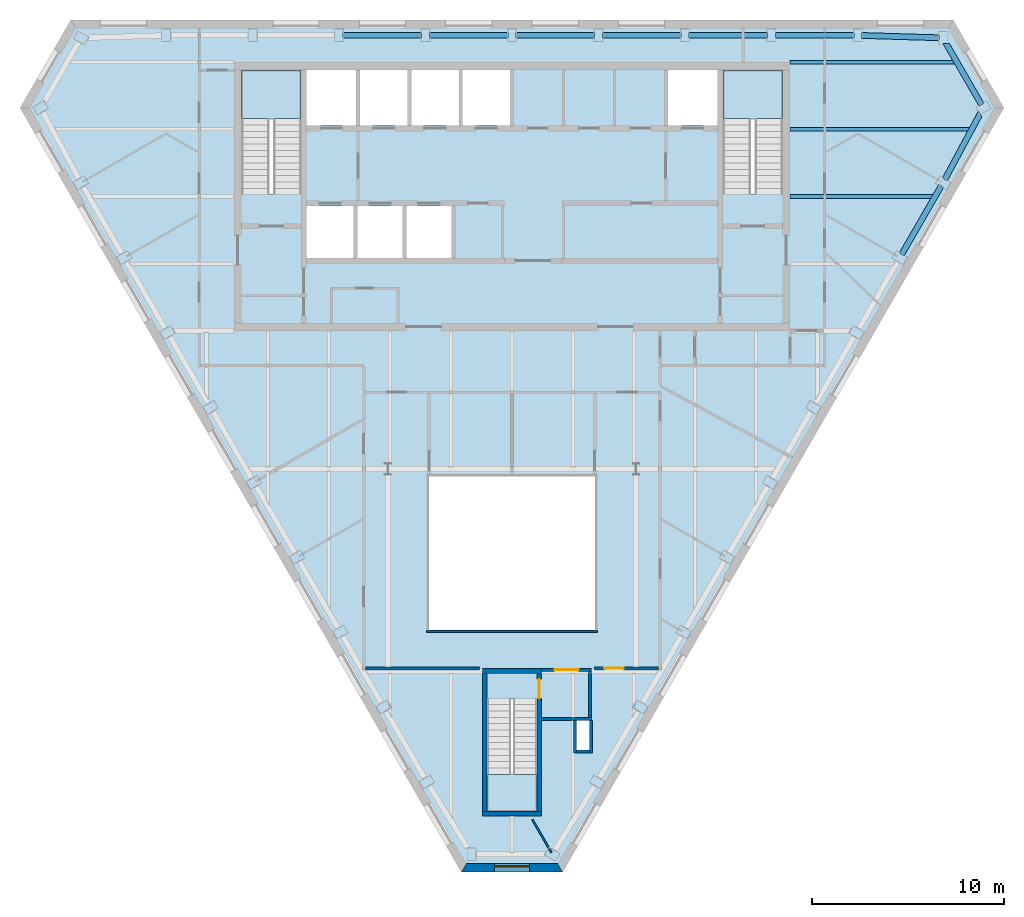
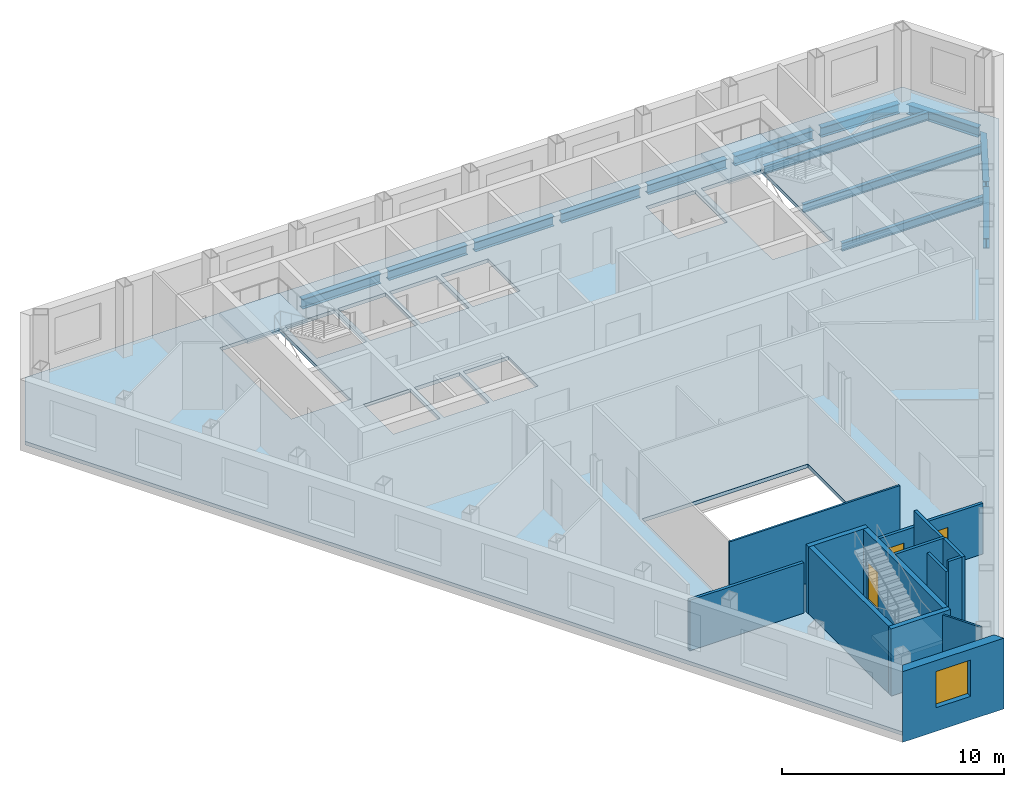
# One storey, part 3 of 10: 15 walls, 13 beams, 4 slabs, 3 doors, 1 window, 4 openings, 3 elements without a shape of their own.
"""IFC4 building model written with IfcOpenShell, lengths in metres."""

import ifcopenshell
import ifcopenshell.guid

model = None  # the IFC model being written
_history = None  # IfcOwnerHistory: only IFC2X3 demands one
_inside = {}  # id of a spatial element -> (the spatial element, [elements in it])
_under = {}  # id of a project, library or spatial element -> (it, [spatial elements below it])
_declared = {}  # id of a project -> (the project, [libraries it declares])
_typed = {}  # id of a type object -> (the type object, [elements of that type])
_made_of = {}  # id of a material, layer set ... -> (it, [elements and type objects made of it])


def new_model(schema):
    """Start an empty IFC model of exactly this schema.

    Asked for "IFC4X3", IfcOpenShell would pick the latest addendum, in which some entities
    have other attributes; the version numbers below select the first issue.
    IFC2X3 requires an IfcOwnerHistory on every rooted entity: one is made here for all.
    """
    global model, _history
    if schema == "IFC4X3":
        model = ifcopenshell.file(schema_version=(4, 3, 0, 0))
    else:
        model = ifcopenshell.file(schema=schema)
    _inside.clear()
    _under.clear()
    _declared.clear()
    _typed.clear()
    _made_of.clear()
    _history = None
    if model.schema == "IFC2X3":
        org = make("IfcOrganization", Name="unknown")
        user = make(
            "IfcPersonAndOrganization",
            ThePerson=make("IfcPerson", FamilyName="unknown"),
            TheOrganization=org,
        )
        app = make(
            "IfcApplication",
            ApplicationDeveloper=org,
            Version="unknown",
            ApplicationFullName="unknown",
            ApplicationIdentifier="unknown",
        )
        _history = make(
            "IfcOwnerHistory",
            OwningUser=user,
            OwningApplication=app,
            ChangeAction="ADDED",
            CreationDate=0,
        )
    return model


def make(cls, **values):
    """One entity of the class cls with the attributes given. An attribute that is None is left unset."""
    return model.create_entity(
        cls, **{name: value for name, value in values.items() if value is not None}
    )


def rooted(cls, **values):
    """An entity with a GlobalId (a new one), such as an element, a storey or a relation."""
    return make(cls, GlobalId=ifcopenshell.guid.new(), OwnerHistory=_history, **values)


def si_unit(unit_type, name, prefix=None):
    """IfcSIUnit, for example si_unit("LENGTHUNIT", "METRE", prefix="MILLI")."""
    return make("IfcSIUnit", UnitType=unit_type, Prefix=prefix, Name=name)


def assignment(units):
    """IfcUnitAssignment: the units of a project."""
    return None if units is None else make("IfcUnitAssignment", Units=units)


def point(xyz):
    """IfcCartesianPoint."""
    return None if xyz is None else make("IfcCartesianPoint", Coordinates=xyz)


def direction(xyz):
    """IfcDirection."""
    return None if xyz is None else make("IfcDirection", DirectionRatios=xyz)


def frame(location, z_axis=None, x_axis=None):
    """IfcAxis2Placement3D, a coordinate frame: its origin and axes. An axis left out is left unset."""
    return make(
        "IfcAxis2Placement3D",
        Location=point(location),
        Axis=direction(z_axis),
        RefDirection=direction(x_axis),
    )


def frame_2d(location, x_axis=None):
    """IfcAxis2Placement2D, a coordinate frame in the plane: its origin and x axis."""
    return make(
        "IfcAxis2Placement2D", Location=point(location), RefDirection=direction(x_axis)
    )


def origin():
    """The frame at (0, 0, 0) with its axes left unset."""
    return frame((0.0, 0.0, 0.0))


def origin_2d():
    """The frame at (0, 0) in the plane with its x axis left unset."""
    return frame_2d((0.0, 0.0))


def place(relative_to, where):
    """IfcLocalPlacement: puts the frame where relative to a parent placement (None: the world)."""
    return make(
        "IfcLocalPlacement", PlacementRelTo=relative_to, RelativePlacement=where
    )


def context(
    kind, dimensions, precision=None, world=None, true_north=None, identifier=None
):
    """IfcGeometricRepresentationContext, for example the 3D "Model" context."""
    return make(
        "IfcGeometricRepresentationContext",
        ContextIdentifier=identifier,
        ContextType=kind,
        CoordinateSpaceDimension=dimensions,
        Precision=precision,
        WorldCoordinateSystem=world,
        TrueNorth=true_north,
    )


def subcontext(parent, identifier, kind, view, scale=None):
    """IfcGeometricRepresentationSubContext, for example "Body" below "Model"."""
    return make(
        "IfcGeometricRepresentationSubContext",
        ContextIdentifier=identifier,
        ContextType=kind,
        ParentContext=parent,
        TargetScale=scale,
        TargetView=view,
    )


def project(units=None, contexts=None):
    """IfcProject with its units and contexts."""
    return rooted(
        "IfcProject",
        Name="project",
        RepresentationContexts=contexts,
        UnitsInContext=assignment(units),
    )


def spatial(cls, under=None, at=None, **own):
    """A site, building, storey or space (cls), placed at a placement, below another one or the project."""
    s = rooted(cls, ObjectPlacement=at, **own)
    if under is not None:
        _under.setdefault(under.id(), (under, []))[1].append(s)
    return s


def polyline(points):
    """IfcPolyline through the points."""
    return make("IfcPolyline", Points=[point(p) for p in points])


def profile(cls, at=None, kind="AREA", **sizes):
    """A parametric profile (cls). Its sizes go by their IFC names, for example OverallWidth=200.0."""
    return make(cls, ProfileType=kind, Position=at, **sizes)


def rectangle(**sizes):
    """IfcRectangleProfileDef."""
    return profile("IfcRectangleProfileDef", **sizes)


def i_section(**sizes):
    """IfcIShapeProfileDef."""
    return profile("IfcIShapeProfileDef", **sizes)


def outline(outer, holes=None, kind="AREA"):
    """IfcArbitraryClosedProfileDef: a profile drawn as a closed curve; with holes, ...WithVoids."""
    if holes is None:
        return make("IfcArbitraryClosedProfileDef", ProfileType=kind, OuterCurve=outer)
    return make(
        "IfcArbitraryProfileDefWithVoids",
        ProfileType=kind,
        OuterCurve=outer,
        InnerCurves=holes,
    )


def extrude(swept, where, along, depth):
    """IfcExtrudedAreaSolid: the profile swept, set in the frame where, extruded along a direction by depth."""
    return make(
        "IfcExtrudedAreaSolid",
        SweptArea=swept,
        Position=where,
        ExtrudedDirection=direction(along),
        Depth=depth,
    )


def clip(a, b, op="DIFFERENCE"):
    """IfcBooleanClippingResult: the solid a cut by the half space b."""
    return make(
        "IfcBooleanClippingResult", Operator=op, FirstOperand=a, SecondOperand=b
    )


def halfspace(plane, agree):
    """IfcHalfSpaceSolid: all space on one side of the plane z = 0 of the frame plane."""
    return make(
        "IfcHalfSpaceSolid",
        BaseSurface=make("IfcPlane", Position=plane),
        AgreementFlag=agree,
    )


def shape(context_of_items, identifier, shape_type, items):
    """IfcShapeRepresentation: the items that make up one representation, for example the "Body"."""
    return make(
        "IfcShapeRepresentation",
        ContextOfItems=context_of_items,
        RepresentationIdentifier=identifier,
        RepresentationType=shape_type,
        Items=items,
    )


def material(Name=None, Category=None):
    """IfcMaterial."""
    return make("IfcMaterial", Name=Name, Category=Category)


def layer(
    of_material, thickness, ventilated=None, Name=None, Category=None, Priority=None
):
    """IfcMaterialLayer: one layer of a wall or slab, of a material (None: an air gap)."""
    return make(
        "IfcMaterialLayer",
        Material=of_material,
        LayerThickness=thickness,
        IsVentilated=ventilated,
        Name=Name,
        Category=Category,
        Priority=Priority,
    )


def layer_set(layers, Name=None):
    """IfcMaterialLayerSet."""
    return make("IfcMaterialLayerSet", MaterialLayers=layers, LayerSetName=Name)


def material_profile(
    of_material, cross_section, Name=None, Category=None, Priority=None
):
    """IfcMaterialProfile: a cross section and its material."""
    return make(
        "IfcMaterialProfile",
        Name=Name,
        Material=of_material,
        Profile=cross_section,
        Priority=Priority,
        Category=Category,
    )


def profile_set(profiles, Name=None, composite=None):
    """IfcMaterialProfileSet."""
    return make(
        "IfcMaterialProfileSet",
        Name=Name,
        MaterialProfiles=profiles,
        CompositeProfile=composite,
    )


def made_of(thing, what):
    """Note that an element or type object is made of a material, layer set ...; save() writes the relation."""
    if what is not None:
        _made_of.setdefault(what.id(), (what, []))[1].append(thing)
    return thing


def type_object(cls, material=None, **own):
    """A type object (cls), such as IfcWallType, which elements share."""
    return made_of(rooted(cls, **own), material)


def element(
    cls,
    number,
    at=None,
    inside=None,
    cuts=None,
    type_object=None,
    material=None,
    context=None,
    identifier="Body",
    shape_type=None,
    held_by="IfcProductDefinitionShape",
    body=None,
    shapes=None,
    **own,
):
    """One element of the class cls, such as IfcWall. Its Tag is "e" and its number.

    at: its placement. inside: the storey or other place that contains it. cuts: it is an
    opening in that element (IfcRelVoidsElement). A single representation is given by context,
    identifier, shape_type and body (its items); several are given by shapes. held_by: the class
    of the entity that holds the representations. save() writes the other relations.
    """
    e = rooted(cls, Tag="e%d" % number, ObjectPlacement=at, **own)
    if body is not None:
        shapes = [shape(context, identifier, shape_type, body)]
    if shapes is not None:
        e.Representation = make(held_by, Representations=shapes)
    if inside is not None:
        _inside.setdefault(inside.id(), (inside, []))[1].append(e)
    if cuts is not None:
        rooted(
            "IfcRelVoidsElement", RelatingBuildingElement=cuts, RelatedOpeningElement=e
        )
    if type_object is not None:
        _typed.setdefault(type_object.id(), (type_object, []))[1].append(e)
    return made_of(e, material)


def fill(opening, filler):
    """IfcRelFillsElement: the door or window that sits in an opening."""
    return rooted(
        "IfcRelFillsElement",
        RelatingOpeningElement=opening,
        RelatedBuildingElement=filler,
    )


def aggregate(whole, parts):
    """IfcRelAggregates: a whole, such as a stair, and the parts it consists of."""
    return rooted("IfcRelAggregates", RelatingObject=whole, RelatedObjects=parts)


def save(model, path):
    """Write the relations noted so far, then the file.

    IfcRelAggregates (storeys below a building ...), IfcRelContainedInSpatialStructure (elements
    in a storey), IfcRelDefinesByType, IfcRelAssociatesMaterial and IfcRelDeclares: one each for
    every whole, place, type object, material and project.
    """
    for whole, parts in _under.values():
        aggregate(whole, parts)
    for where, things in _inside.values():
        rooted(
            "IfcRelContainedInSpatialStructure",
            RelatedElements=things,
            RelatingStructure=where,
        )
    for kind, things in _typed.values():
        rooted("IfcRelDefinesByType", RelatedObjects=things, RelatingType=kind)
    for what, things in _made_of.values():
        rooted("IfcRelAssociatesMaterial", RelatedObjects=things, RelatingMaterial=what)
    for by, libraries in _declared.values():
        rooted("IfcRelDeclares", RelatingContext=by, RelatedDefinitions=libraries)
    model.write(path)


model = new_model("IFC4")

# Units and contexts
model_context = context("Model", 3, precision=1e-05, world=origin(), true_north=direction((0.0, 1.0)))
body_context = subcontext(model_context, "Body", "Model", "MODEL_VIEW")
ifc_project = project(units=[si_unit("LENGTHUNIT", "METRE"), si_unit("AREAUNIT", "SQUARE_METRE"), si_unit("VOLUMEUNIT", "CUBIC_METRE"), si_unit("PLANEANGLEUNIT", "RADIAN"), si_unit("MASSUNIT", "GRAM", prefix="KILO")], contexts=[model_context])

# Site, building, storey
site_placement = place(None, origin())
site = spatial("IfcSite", under=ifc_project, at=site_placement, CompositionType="ELEMENT")
building_placement = place(site_placement, origin())
building = spatial("IfcBuilding", under=site, at=building_placement, Name="Njiva Tower", CompositionType="ELEMENT")
storey_placement = place(building_placement, frame((0.0, 0.0, 284.4)))
storey = spatial("IfcBuildingStorey", under=building, at=storey_placement, Name="L65", CompositionType="ELEMENT", Elevation=284.4)

# Beams
ifc_material_1 = material(Name="Steel S355 J2", Category="steel")
ifc_material_profile_1 = material_profile(ifc_material_1, i_section(OverallWidth=0.19, OverallDepth=0.45, WebThickness=0.0094, FlangeThickness=0.0146, at=origin_2d()), Name="IPE 450")
ifc_profile_set_1 = profile_set([ifc_material_profile_1], Name="Steel S355 J2")
beam_type_1 = type_object("IfcBeamType", Name="B37 Floor beam to the core IPE 450", PredefinedType="BEAM", material=ifc_profile_set_1)
beam_1_placement = place(storey_placement, frame((14.5, 11.0, -0.425), z_axis=(1.0, 0.0, 0.0), x_axis=(0.0, 1.0, 0.0)))
element("IfcBeam", 1, at=beam_1_placement, inside=storey, type_object=beam_type_1, Name="Floor beam to the core S21-B008", PredefinedType="BEAM", context=body_context, shape_type="Clipping", body=[
    clip(extrude(i_section(OverallWidth=0.19, OverallDepth=0.45, WebThickness=0.0094, FlangeThickness=0.0146, at=origin_2d()), origin(), (0.0, 0.0, 1.0), 7.514), halfspace(frame((-0.025, 0.0, 7.4247), z_axis=(-0.499998009787, 0.0, 0.866026552831), x_axis=(0.0, 1.0, 0.0)), False)),
])
beam_2_placement = place(storey_placement, frame((14.5, 14.5, -0.425), z_axis=(1.0, 0.0, 0.0), x_axis=(0.0, 1.0, 0.0)))
element("IfcBeam", 2, at=beam_2_placement, inside=storey, type_object=beam_type_1, Name="Floor beam to the core S21-B009", PredefinedType="BEAM", context=body_context, shape_type="Clipping", body=[
    clip(extrude(i_section(OverallWidth=0.19, OverallDepth=0.45, WebThickness=0.0094, FlangeThickness=0.0146, at=origin_2d()), origin(), (0.0, 0.0, 1.0), 9.423), halfspace(frame((-0.0237, 0.0, 9.3394), z_axis=(-0.473769423091, 0.0, 0.880648927634), x_axis=(0.0, 1.0, 0.0)), False)),
])
beam_3_placement = place(storey_placement, frame((14.5, 18.0, -0.425), z_axis=(1.0, 0.0, 0.0), x_axis=(0.0, 1.0, 0.0)))
element("IfcBeam", 3, at=beam_3_placement, inside=storey, type_object=beam_type_1, Name="Floor beam to the core S21-B010", PredefinedType="BEAM", context=body_context, shape_type="Clipping", body=[
    clip(extrude(i_section(OverallWidth=0.19, OverallDepth=0.45, WebThickness=0.0094, FlangeThickness=0.0146, at=origin_2d()), origin(), (0.0, 0.0, 1.0), 8.652), halfspace(frame((0.025, 0.0, 8.5628), z_axis=(0.499998009787, 0.0, 0.866026552831), x_axis=(0.0, 1.0, 0.0)), False)),
])
ifc_material_profile_2 = material_profile(ifc_material_1, i_section(OverallWidth=0.3, OverallDepth=0.54, WebThickness=0.0125, FlangeThickness=0.024, at=origin_2d()), Name="HEA 550")
ifc_profile_set_2 = profile_set([ifc_material_profile_2], Name="Steel S355 J2")
beam_type_2 = type_object("IfcBeamType", Name="B39 Short-span spandrel beam HEA 550", PredefinedType="SPANDREL", material=ifc_profile_set_2)
beam_4_placement = place(storey_placement, frame((22.257, 19.273, -0.47), z_axis=(-0.999547991975, 0.030063461852, 0.0), x_axis=(-0.030063461852, -0.999547991975, 0.0)))
element("IfcBeam", 4, at=beam_4_placement, inside=storey, type_object=beam_type_2, Name="Short-span spandrel beam S21-B116", PredefinedType="SPANDREL", context=body_context, shape_type="SweptSolid", body=[
    extrude(i_section(OverallWidth=0.3, OverallDepth=0.54, WebThickness=0.0125, FlangeThickness=0.024, at=origin_2d()), origin(), (0.0, 0.0, 1.0), 4.0248),
])
beam_5_placement = place(storey_placement, frame((17.83, 19.4, -0.47), z_axis=(-1.0, 0.0, 0.0), x_axis=(0.0, -1.0, 0.0)))
element("IfcBeam", 5, at=beam_5_placement, inside=storey, type_object=beam_type_2, Name="Short-span spandrel beam S21-B111", PredefinedType="SPANDREL", context=body_context, shape_type="SweptSolid", body=[
    extrude(i_section(OverallWidth=0.3, OverallDepth=0.54, WebThickness=0.0125, FlangeThickness=0.024, at=origin_2d()), origin(), (0.0, 0.0, 1.0), 4.107),
])
beam_6_placement = place(storey_placement, frame((13.323, 19.4, -0.47), z_axis=(-1.0, 0.0, 0.0), x_axis=(0.0, -1.0, 0.0)))
element("IfcBeam", 6, at=beam_6_placement, inside=storey, type_object=beam_type_2, Name="Short-span spandrel beam S21-B106", PredefinedType="SPANDREL", context=body_context, shape_type="SweptSolid", body=[
    extrude(i_section(OverallWidth=0.3, OverallDepth=0.54, WebThickness=0.0125, FlangeThickness=0.024, at=origin_2d()), origin(), (0.0, 0.0, 1.0), 4.108),
])
beam_7_placement = place(storey_placement, frame((8.815, 19.4, -0.47), z_axis=(-1.0, 0.0, 0.0), x_axis=(0.0, -1.0, 0.0)))
element("IfcBeam", 7, at=beam_7_placement, inside=storey, type_object=beam_type_2, Name="Short-span spandrel beam S21-B101", PredefinedType="SPANDREL", context=body_context, shape_type="SweptSolid", body=[
    extrude(i_section(OverallWidth=0.3, OverallDepth=0.54, WebThickness=0.0125, FlangeThickness=0.024, at=origin_2d()), origin(), (0.0, 0.0, 1.0), 4.107),
])
for number, where, z_axis, x_axis, name in (
    (8, (4.308, 19.4, -0.47), (-1.0, 0.0, 0.0), (0.0, -1.0, 0.0), "Short-span spandrel beam S21-B096"),
    (9, (-0.2, 19.4, -0.47), (-1.0, 0.0, 0.0), (0.0, -1.0, 0.0), "Short-span spandrel beam S21-B092"),
):
    element("IfcBeam", number, at=place(storey_placement, frame(where, z_axis=z_axis, x_axis=x_axis)), inside=storey, type_object=beam_type_2, Name=name, PredefinedType="SPANDREL", context=body_context, shape_type="SweptSolid", body=[
        extrude(i_section(OverallWidth=0.3, OverallDepth=0.54, WebThickness=0.0125, FlangeThickness=0.024, at=origin_2d()), origin(), (0.0, 0.0, 1.0), 4.108),
    ])
beam_8_placement = place(storey_placement, frame((-4.708, 19.4, -0.47), z_axis=(-1.0, 0.0, 0.0), x_axis=(0.0, -1.0, 0.0)))
element("IfcBeam", 10, at=beam_8_placement, inside=storey, type_object=beam_type_2, Name="Short-span spandrel beam S21-B087", PredefinedType="SPANDREL", context=body_context, shape_type="SweptSolid", body=[
    extrude(i_section(OverallWidth=0.3, OverallDepth=0.54, WebThickness=0.0125, FlangeThickness=0.024, at=origin_2d()), origin(), (0.0, 0.0, 1.0), 4.107),
])
beam_9_placement = place(storey_placement, frame((20.314, 7.984, -0.47), z_axis=(0.499778651271, 0.866153161822, 0.0), x_axis=(-0.866153161822, 0.499778651271, 0.0)))
element("IfcBeam", 11, at=beam_9_placement, inside=storey, type_object=beam_type_2, Name="Short-span spandrel beam S21-B118", PredefinedType="SPANDREL", context=body_context, shape_type="SweptSolid", body=[
    extrude(i_section(OverallWidth=0.3, OverallDepth=0.54, WebThickness=0.0125, FlangeThickness=0.024, at=origin_2d()), origin(), (0.0, 0.0, 1.0), 4.1078),
])
beam_10_placement = place(storey_placement, frame((22.564, 11.894, -0.47), z_axis=(0.473730701413, 0.880669757934, 0.0), x_axis=(-0.880669757934, 0.473730701413, 0.0)))
element("IfcBeam", 12, at=beam_10_placement, inside=storey, type_object=beam_type_2, Name="Short-span spandrel beam S21-B120", PredefinedType="SPANDREL", context=body_context, shape_type="Clipping", body=[
    clip(extrude(i_section(OverallWidth=0.3, OverallDepth=0.54, WebThickness=0.0125, FlangeThickness=0.024, at=origin_2d()), origin(), (0.0, 0.0, 1.0), 3.9907), halfspace(frame((-0.0262, 0.0, 3.8611), z_axis=(-0.525818986765, 0.0, 0.850596492561), x_axis=(0.0, 1.0, 0.0)), False)),
])
beam_11_placement = place(storey_placement, frame((24.468, 15.792, -0.47), z_axis=(-0.500186718796, 0.865917574796, 0.0), x_axis=(-0.865917574796, -0.500186718796, 0.0)))
element("IfcBeam", 13, at=beam_11_placement, inside=storey, type_object=beam_type_2, Name="Short-span spandrel beam S21-B121", PredefinedType="SPANDREL", context=body_context, shape_type="Clipping", body=[
    clip(extrude(i_section(OverallWidth=0.3, OverallDepth=0.54, WebThickness=0.0125, FlangeThickness=0.024, at=origin_2d()), origin(), (0.0, 0.0, 1.0), 3.7736), halfspace(frame((-0.0254, 0.0, 3.652), z_axis=(-0.500186718796, 0.0, 0.865917574796), x_axis=(0.0, 1.0, 0.0)), False)),
])

# Stair, slab
ifc_material_2 = material(Name="Concrete C40/50", Category="concrete")
stair_type_1 = type_object("IfcStairType", Name="ST3 Exit stair 1450", PredefinedType="HALF_TURN_STAIR", material=ifc_material_2)
stair_1_placement = place(storey_placement, origin())
stair_1 = element("IfcStair", 14, at=stair_1_placement, inside=storey, type_object=stair_type_1, Name="Stair A", PredefinedType="HALF_TURN_STAIR")
ifc_layer_1 = layer(ifc_material_2, 0.2)
ifc_layer_set_1 = layer_set([ifc_layer_1], Name="Concrete C40/50")
slab_type_1 = type_object("IfcSlabType", Name="FL9 Stair landing 200", PredefinedType="LANDING", material=ifc_layer_set_1)
slab_1_placement = place(storey_placement, frame((0.0, 0.0, 1.75)))
slab_1 = element("IfcSlab", 15, at=slab_1_placement, type_object=slab_type_1, Name="ST-A landing 1", PredefinedType="LANDING", context=body_context, shape_type="SweptSolid", body=[
    extrude(outline(polyline([(-14.106, 15.06), (-10.994, 15.06), (-10.994, 17.6), (-14.106, 17.6), (-14.106, 15.06)])), origin(), (0.0, 0.0, 1.0), 0.2),
])
aggregate(stair_1, [slab_1])

stair_2_placement = place(storey_placement, origin())
stair_2 = element("IfcStair", 16, at=stair_2_placement, inside=storey, type_object=stair_type_1, Name="Stair B", PredefinedType="HALF_TURN_STAIR")
slab_2_placement = place(storey_placement, frame((0.0, 0.0, 1.75)))
slab_2 = element("IfcSlab", 17, at=slab_2_placement, type_object=slab_type_1, Name="ST-B landing 1", PredefinedType="LANDING", context=body_context, shape_type="SweptSolid", body=[
    extrude(outline(polyline([(10.994, 15.06), (14.106, 15.06), (14.106, 17.6), (10.994, 17.6), (10.994, 15.06)])), origin(), (0.0, 0.0, 1.0), 0.2),
])
aggregate(stair_2, [slab_2])

stair_type_2 = type_object("IfcStairType", Name="ST1 Exit stair 1250", PredefinedType="HALF_TURN_STAIR", material=ifc_material_2)
stair_3_placement = place(storey_placement, origin())
stair_3 = element("IfcStair", 18, at=stair_3_placement, inside=storey, type_object=stair_type_2, Name="Stair C", PredefinedType="HALF_TURN_STAIR")
slab_3_placement = place(storey_placement, frame((0.0, 0.0, 1.75)))
slab_3 = element("IfcSlab", 19, at=slab_3_placement, type_object=slab_type_1, Name="ST-C landing 1", PredefinedType="LANDING", context=body_context, shape_type="SweptSolid", body=[
    extrude(outline(polyline([(-1.306, -21.05), (1.306, -21.05), (1.306, -19.12), (-1.306, -19.12), (-1.306, -21.05)])), origin(), (0.0, 0.0, 1.0), 0.2),
])
aggregate(stair_3, [slab_3])

# Slab
ifc_material_3 = material(Name="Concrete C30/37", Category="concrete")
ifc_layer_2 = layer(ifc_material_3, 0.2)
ifc_layer_set_2 = layer_set([ifc_layer_2], Name="Concrete C30/37")
slab_type_2 = type_object("IfcSlabType", Name="SL16 Composite floor slab 200", PredefinedType="FLOOR", material=ifc_layer_set_2)
slab_4_placement = place(storey_placement, frame((0.0, 0.0, -0.2)))
element("IfcSlab", 20, at=slab_4_placement, inside=storey, type_object=slab_type_2, Name="Floor slab L65", PredefinedType="FLOOR", context=body_context, shape_type="SweptSolid", body=[
    extrude(outline(polyline([(25.3852, 15.6187), (2.5151, -23.9934), (-2.5151, -23.9934), (-25.3852, 15.6187), (-22.8701, 19.975), (22.8701, 19.975), (25.3852, 15.6187)]), holes=[polyline([(10.994, 11.13), (14.106, 11.13), (14.106, 17.6), (10.994, 17.6), (10.994, 11.13)]), polyline([(8.125, 14.7), (10.7, 14.7), (10.7, 17.6), (8.125, 17.6), (8.125, 14.7)]), polyline([(4.32, -11.6), (4.32, -3.6), (-4.32, -3.6), (-4.32, -11.6), (4.32, -11.6)]), polyline([(3.35, -17.85), (4.05, -17.85), (4.05, -16.3), (3.35, -16.3), (3.35, -17.85)]), polyline([(-1.306, -21.05), (1.306, -21.05), (1.306, -15.19), (-1.306, -15.19), (-1.306, -21.05)]), polyline([(-2.575, 14.7), (-0.1, 14.7), (-0.1, 17.6), (-2.575, 17.6), (-2.575, 14.7)]), polyline([(-2.775, 14.7), (-2.775, 17.6), (-5.25, 17.6), (-5.25, 14.7), (-2.775, 14.7)]), polyline([(-5.5, 7.8), (-3.15, 7.8), (-3.15, 10.5), (-5.5, 10.5), (-5.5, 7.8)]), polyline([(-7.925, 14.7), (-5.45, 14.7), (-5.45, 17.6), (-7.925, 17.6), (-7.925, 14.7)]), polyline([(-8.05, 7.8), (-5.7, 7.8), (-5.7, 10.5), (-8.05, 10.5), (-8.05, 7.8)]), polyline([(-10.7, 14.7), (-8.125, 14.7), (-8.125, 17.6), (-10.7, 17.6), (-10.7, 14.7)]), polyline([(-8.25, 7.8), (-8.25, 10.5), (-10.7, 10.5), (-10.7, 7.8), (-8.25, 7.8)]), polyline([(-10.994, 11.13), (-10.994, 17.6), (-14.106, 17.6), (-14.106, 11.13), (-10.994, 11.13)])]), origin(), (0.0, 0.0, 1.0), 0.2),
])

# Walls
ifc_material_4 = material(Name="Gypsum board on steel studs", Category="gypsum")
ifc_layer_3 = layer(ifc_material_4, 0.1)
ifc_layer_set_3 = layer_set([ifc_layer_3], Name="Gypsum board on steel studs")
wall_type_1 = type_object("IfcWallType", Name="WT20 Gypsum partition 100", PredefinedType="PARTITIONING", material=ifc_layer_set_3)
wall_1_placement = place(storey_placement, frame((1.061, -21.475, 0.0), z_axis=(0.0, 0.0, 1.0), x_axis=(0.499867417214, -0.866101936961, 0.0)))
element("IfcWall", 21, at=wall_1_placement, inside=storey, type_object=wall_type_1, Name="Partition S21-P017", PredefinedType="PARTITIONING", context=body_context, shape_type="SweptSolid", body=[
    extrude(rectangle(XDim=1.9905, YDim=0.1, at=frame_2d((0.9952, 0.0))), origin(), (0.0, 0.0, 1.0), 3.7),
])
ifc_layer_4 = layer(ifc_material_4, 0.15)
ifc_layer_set_4 = layer_set([ifc_layer_4], Name="Gypsum board on steel studs")
wall_type_2 = type_object("IfcWallType", Name="WT21 Compartment wall 150", PredefinedType="PARTITIONING", material=ifc_layer_set_4)
wall_2_placement = place(storey_placement, frame((-7.645, -13.6, 0.0), z_axis=(0.0, 0.0, 1.0), x_axis=(1.0, 0.0, 0.0)))
element("IfcWall", 22, at=wall_2_placement, inside=storey, type_object=wall_type_2, Name="Partition S21-P014", PredefinedType="PARTITIONING", context=body_context, shape_type="SweptSolid", body=[
    extrude(rectangle(XDim=5.945, YDim=0.15, at=frame_2d((2.9725, 0.0))), origin(), (0.0, 0.0, 1.0), 2.79),
])

# Wall, opening, door
wall_3_placement = place(storey_placement, frame((4.3, -13.6, 0.0), z_axis=(0.0, 0.0, 1.0), x_axis=(1.0, 0.0, 0.0)))
wall_3 = element("IfcWall", 23, at=wall_3_placement, inside=storey, type_object=wall_type_2, Name="Partition S21-P018", PredefinedType="PARTITIONING", context=body_context, shape_type="SweptSolid", body=[
    extrude(rectangle(XDim=3.345, YDim=0.15, at=frame_2d((1.6725, 0.0))), origin(), (0.0, 0.0, 1.0), 2.79),
])
opening_1_placement = place(wall_3_placement, frame((0.514, 0.0, 0.0)))
opening_1 = element("IfcOpeningElement", 24, at=opening_1_placement, cuts=wall_3, Name="Opening S21-D010", PredefinedType="OPENING", context=body_context, shape_type="SweptSolid", body=[
    extrude(rectangle(XDim=1.0, YDim=2.1, at=frame_2d((0.5, 1.05))), frame((0.0, 0.085, 0.0), z_axis=(0.0, -1.0, 0.0), x_axis=(1.0, 0.0, 0.0)), (0.0, 0.0, 1.0), 0.17),
])
ifc_material_5 = material(Name="Steel fire door set", Category="steel")
door_type_1 = type_object("IfcDoorType", Name="D37 Fire door 1000x2100", OperationType="SINGLE_SWING_LEFT", PredefinedType="DOOR", material=ifc_material_5)
door_1_placement = place(opening_1_placement, origin())
door_1 = element("IfcDoor", 25, at=door_1_placement, inside=storey, type_object=door_type_1, Name="Door S21-D010", OperationType="SINGLE_SWING_LEFT", OverallHeight=2.1, OverallWidth=1.0, PredefinedType="DOOR", context=body_context, shape_type="SweptSolid", body=[
    extrude(rectangle(XDim=1.0, YDim=2.1, at=frame_2d((0.5, 1.05))), frame((0.0, 0.025, 0.0), z_axis=(0.0, -1.0, 0.0), x_axis=(1.0, 0.0, 0.0)), (0.0, 0.0, 1.0), 0.05),
])
fill(opening_1, door_1)

# Walls
ifc_material_6 = material(Name="Blockwork", Category="masonry")
ifc_layer_5 = layer(ifc_material_6, 0.15)
ifc_layer_set_5 = layer_set([ifc_layer_5], Name="Blockwork")
wall_type_3 = type_object("IfcWallType", Name="WT4 Stair partition 150", PredefinedType="PARTITIONING", material=ifc_layer_set_5)
wall_4_placement = place(storey_placement, frame((1.55, -16.225, 0.0), z_axis=(0.0, 0.0, 1.0), x_axis=(1.0, 0.0, 0.0)))
element("IfcWall", 26, at=wall_4_placement, inside=storey, type_object=wall_type_3, Name="Stair C vestibule wall south", PredefinedType="PARTITIONING", context=body_context, shape_type="SweptSolid", body=[
    extrude(rectangle(XDim=2.6, YDim=0.15, at=frame_2d((1.3, 0.0))), origin(), (0.0, 0.0, 1.0), 3.7),
])
wall_5_placement = place(storey_placement, frame((4.075, -16.15, 0.0), z_axis=(0.0, 0.0, 1.0), x_axis=(0.0, 1.0, 0.0)))
element("IfcWall", 27, at=wall_5_placement, inside=storey, type_object=wall_type_3, Name="Stair C vestibule wall east", PredefinedType="PARTITIONING", context=body_context, shape_type="SweptSolid", body=[
    extrude(rectangle(XDim=2.4, YDim=0.15, at=frame_2d((1.2, 0.0))), origin(), (0.0, 0.0, 1.0), 3.7),
])

# Wall, opening, door
wall_6_placement = place(storey_placement, frame((1.55, -13.675, 0.0), z_axis=(0.0, 0.0, 1.0), x_axis=(1.0, 0.0, 0.0)))
wall_6 = element("IfcWall", 28, at=wall_6_placement, inside=storey, type_object=wall_type_3, Name="Stair C vestibule wall north", PredefinedType="PARTITIONING", context=body_context, shape_type="SweptSolid", body=[
    extrude(rectangle(XDim=2.6, YDim=0.15, at=frame_2d((1.3, 0.0))), origin(), (0.0, 0.0, 1.0), 2.79),
])
opening_2_placement = place(wall_6_placement, frame((0.675, 0.0, 0.0)))
opening_2 = element("IfcOpeningElement", 29, at=opening_2_placement, cuts=wall_6, Name="Opening S21-D929", PredefinedType="OPENING", context=body_context, shape_type="SweptSolid", body=[
    extrude(rectangle(XDim=1.25, YDim=2.1, at=frame_2d((0.625, 1.05))), frame((0.0, 0.085, 0.0), z_axis=(0.0, -1.0, 0.0), x_axis=(1.0, 0.0, 0.0)), (0.0, 0.0, 1.0), 0.17),
])
ifc_material_7 = material(Name="Glazed steel fire door", Category="steel")
door_type_2 = type_object("IfcDoorType", Name="D8 Vestibule corridor door 1250x2100 glazed", OperationType="SINGLE_SWING_LEFT", PredefinedType="DOOR", material=ifc_material_7)
door_2_placement = place(opening_2_placement, origin())
door_2 = element("IfcDoor", 30, at=door_2_placement, inside=storey, type_object=door_type_2, Name="Stair vestibule corridor door", OperationType="SINGLE_SWING_RIGHT", OverallHeight=2.1, OverallWidth=1.25, PredefinedType="DOOR", context=body_context, shape_type="SweptSolid", body=[
    extrude(rectangle(XDim=1.25, YDim=2.1, at=frame_2d((0.625, 1.05))), frame((0.0, 0.025, 0.0), z_axis=(0.0, -1.0, 0.0), x_axis=(1.0, 0.0, 0.0)), (0.0, 0.0, 1.0), 0.05),
])
fill(opening_2, door_2)

# Walls
wall_7_placement = place(storey_placement, frame((3.275, -18.0, 0.0), z_axis=(0.0, 0.0, 1.0), x_axis=(0.0, 1.0, 0.0)))
element("IfcWall", 31, at=wall_7_placement, inside=storey, type_object=wall_type_3, Name="Stair C pressurisation shaft wall", PredefinedType="PARTITIONING", context=body_context, shape_type="SweptSolid", body=[
    extrude(rectangle(XDim=1.7, YDim=0.15, at=frame_2d((0.85, 0.0))), origin(), (0.0, 0.0, 1.0), 3.2),
])
wall_8_placement = place(storey_placement, frame((3.35, -17.925, 0.0), z_axis=(0.0, 0.0, 1.0), x_axis=(1.0, 0.0, 0.0)))
element("IfcWall", 32, at=wall_8_placement, inside=storey, type_object=wall_type_3, Name="Stair C pressurisation shaft wall", PredefinedType="PARTITIONING", context=body_context, shape_type="SweptSolid", body=[
    extrude(rectangle(XDim=0.7, YDim=0.15, at=frame_2d((0.35, 0.0))), origin(), (0.0, 0.0, 1.0), 3.7),
])
wall_9_placement = place(storey_placement, frame((4.125, -18.0, 0.0), z_axis=(0.0, 0.0, 1.0), x_axis=(0.0, 1.0, 0.0)))
element("IfcWall", 33, at=wall_9_placement, inside=storey, type_object=wall_type_3, Name="Stair C pressurisation shaft wall", PredefinedType="PARTITIONING", context=body_context, shape_type="SweptSolid", body=[
    extrude(rectangle(XDim=1.7, YDim=0.15, at=frame_2d((0.85, 0.0))), origin(), (0.0, 0.0, 1.0), 3.7),
])
ifc_layer_6 = layer(ifc_material_2, 0.25)
ifc_layer_set_6 = layer_set([ifc_layer_6], Name="Concrete C40/50")
wall_type_4 = type_object("IfcWallType", Name="WT9 Stair enclosure wall 250", PredefinedType="SHEAR", material=ifc_layer_set_6)
wall_10_placement = place(storey_placement, frame((-1.425, -21.05, 0.0), z_axis=(0.0, 0.0, 1.0), x_axis=(0.0, 1.0, 0.0)))
element("IfcWall", 34, at=wall_10_placement, inside=storey, type_object=wall_type_4, Name="Stair C wall west", PredefinedType="SHEAR", context=body_context, shape_type="SweptSolid", body=[
    extrude(rectangle(XDim=7.2, YDim=0.25, at=frame_2d((3.6, 0.0))), origin(), (0.0, 0.0, 1.0), 3.7),
])

# Wall, opening, door
wall_11_placement = place(storey_placement, frame((1.425, -21.05, 0.0), z_axis=(0.0, 0.0, 1.0), x_axis=(0.0, 1.0, 0.0)))
wall_11 = element("IfcWall", 35, at=wall_11_placement, inside=storey, type_object=wall_type_4, Name="Stair C wall east", PredefinedType="SHEAR", context=body_context, shape_type="SweptSolid", body=[
    extrude(rectangle(XDim=7.2, YDim=0.25, at=frame_2d((3.6, 0.0))), origin(), (0.0, 0.0, 1.0), 3.7),
])
opening_3_placement = place(wall_11_placement, frame((5.89, 0.0, 0.0)))
opening_3 = element("IfcOpeningElement", 36, at=opening_3_placement, cuts=wall_11, Name="Opening S21-D928", PredefinedType="OPENING", context=body_context, shape_type="SweptSolid", body=[
    extrude(rectangle(XDim=1.0, YDim=2.1, at=frame_2d((0.5, 1.05))), frame((0.0, 0.135, 0.0), z_axis=(0.0, -1.0, 0.0), x_axis=(1.0, 0.0, 0.0)), (0.0, 0.0, 1.0), 0.27),
])
door_type_3 = type_object("IfcDoorType", Name="D9 Stair vestibule door 1000x2100 glazed", OperationType="SINGLE_SWING_LEFT", PredefinedType="DOOR", material=ifc_material_7)
door_3_placement = place(opening_3_placement, origin())
door_3 = element("IfcDoor", 37, at=door_3_placement, inside=storey, type_object=door_type_3, Name="Stair C door", OperationType="SINGLE_SWING_LEFT", OverallHeight=2.1, OverallWidth=1.0, PredefinedType="DOOR", context=body_context, shape_type="SweptSolid", body=[
    extrude(rectangle(XDim=1.0, YDim=2.1, at=frame_2d((0.5, 1.05))), frame((0.0, 0.025, 0.0), z_axis=(0.0, -1.0, 0.0), x_axis=(1.0, 0.0, 0.0)), (0.0, 0.0, 1.0), 0.05),
])
fill(opening_3, door_3)

# Walls
for number, where, z_axis, x_axis, name in (
    (38, (-1.55, -21.175, 0.0), (0.0, 0.0, 1.0), (1.0, 0.0, 0.0), "Stair C wall south"),
    (39, (-1.55, -13.725, 0.0), (0.0, 0.0, 1.0), (1.0, 0.0, 0.0), "Stair C wall north"),
):
    element("IfcWall", number, at=place(storey_placement, frame(where, z_axis=z_axis, x_axis=x_axis)), inside=storey, type_object=wall_type_4, Name=name, PredefinedType="SHEAR", context=body_context, shape_type="SweptSolid", body=[
        extrude(rectangle(XDim=3.1, YDim=0.25, at=frame_2d((1.55, 0.0))), origin(), (0.0, 0.0, 1.0), 3.7),
    ])

# Wall, opening, window
ifc_material_8 = material(Name="Brick masonry, buff", Category="masonry")
ifc_layer_7 = layer(ifc_material_8, 0.45)
ifc_layer_set_7 = layer_set([ifc_layer_7], Name="Brick masonry, buff")
wall_type_5 = type_object("IfcWallType", Name="WT94 Brick pier and spandrel wall 450, buff", PredefinedType="SOLIDWALL", material=ifc_layer_set_7)
wall_12_placement = place(storey_placement, frame((-2.5151, -23.9934, -0.4), z_axis=(0.0, 0.0, 1.0), x_axis=(1.0, 0.0, 0.0)))
wall_12 = element("IfcWall", 40, at=wall_12_placement, inside=storey, type_object=wall_type_5, Name="Facade wall S", PredefinedType="SOLIDWALL", context=body_context, shape_type="SweptSolid", body=[
    extrude(outline(polyline([(-0.1299, -0.225), (5.1601, -0.225), (4.9003, 0.225), (0.1299, 0.225), (-0.1299, -0.225)])), origin(), (0.0, 0.0, 1.0), 3.9),
])
opening_4_placement = place(wall_12_placement, frame((1.6151, 0.0, 1.3)))
opening_4 = element("IfcOpeningElement", 41, at=opening_4_placement, cuts=wall_12, Name="Opening S21-W19", PredefinedType="OPENING", context=body_context, shape_type="SweptSolid", body=[
    extrude(rectangle(XDim=1.8, YDim=2.0, at=frame_2d((0.9, 1.0))), frame((0.0, 0.235, 0.0), z_axis=(0.0, -1.0, 0.0), x_axis=(1.0, 0.0, 0.0)), (0.0, 0.0, 1.0), 0.47),
])
ifc_material_9 = material(Name="Clear glazing in aluminium frame", Category="aluminium")
window_type = type_object("IfcWindowType", Name="W94 Deep-set window 1800x2000", PartitioningType="SINGLE_PANEL", PredefinedType="WINDOW", material=ifc_material_9)
window_placement = place(opening_4_placement, origin())
window = element("IfcWindow", 42, at=window_placement, inside=storey, type_object=window_type, Name="Window", OverallHeight=2.0, OverallWidth=1.8, PartitioningType="SINGLE_PANEL", PredefinedType="WINDOW", context=body_context, shape_type="SweptSolid", body=[
    extrude(rectangle(XDim=1.8, YDim=2.0, at=frame_2d((0.9, 1.0))), frame((0.0, 0.105, 0.0), z_axis=(0.0, -1.0, 0.0), x_axis=(1.0, 0.0, 0.0)), (0.0, 0.0, 1.0), 0.06),
])
fill(opening_4, window)

# Wall
ifc_material_10 = material(Name="Fire-resisting glazing EI 90", Category="glass")
ifc_layer_8 = layer(ifc_material_10, 0.1)
ifc_layer_set_8 = layer_set([ifc_layer_8], Name="Fire-resisting glazing EI 90")
wall_type_6 = type_object("IfcWallType", Name="WT95 Fire-resisting glazed screen EI 90", PredefinedType="PARTITIONING", material=ifc_layer_set_8)
wall_13_placement = place(storey_placement, frame((-4.44, -11.67, 0.0), z_axis=(0.0, 0.0, 1.0), x_axis=(1.0, 0.0, 0.0)))
element("IfcWall", 43, at=wall_13_placement, inside=storey, type_object=wall_type_6, Name="Atrium fire screen south", PredefinedType="PARTITIONING", context=body_context, shape_type="SweptSolid", body=[
    extrude(rectangle(XDim=8.88, YDim=0.1, at=frame_2d((4.44, 0.0))), origin(), (0.0, 0.0, 1.0), 3.7),
])

save(model, "model.ifc")
